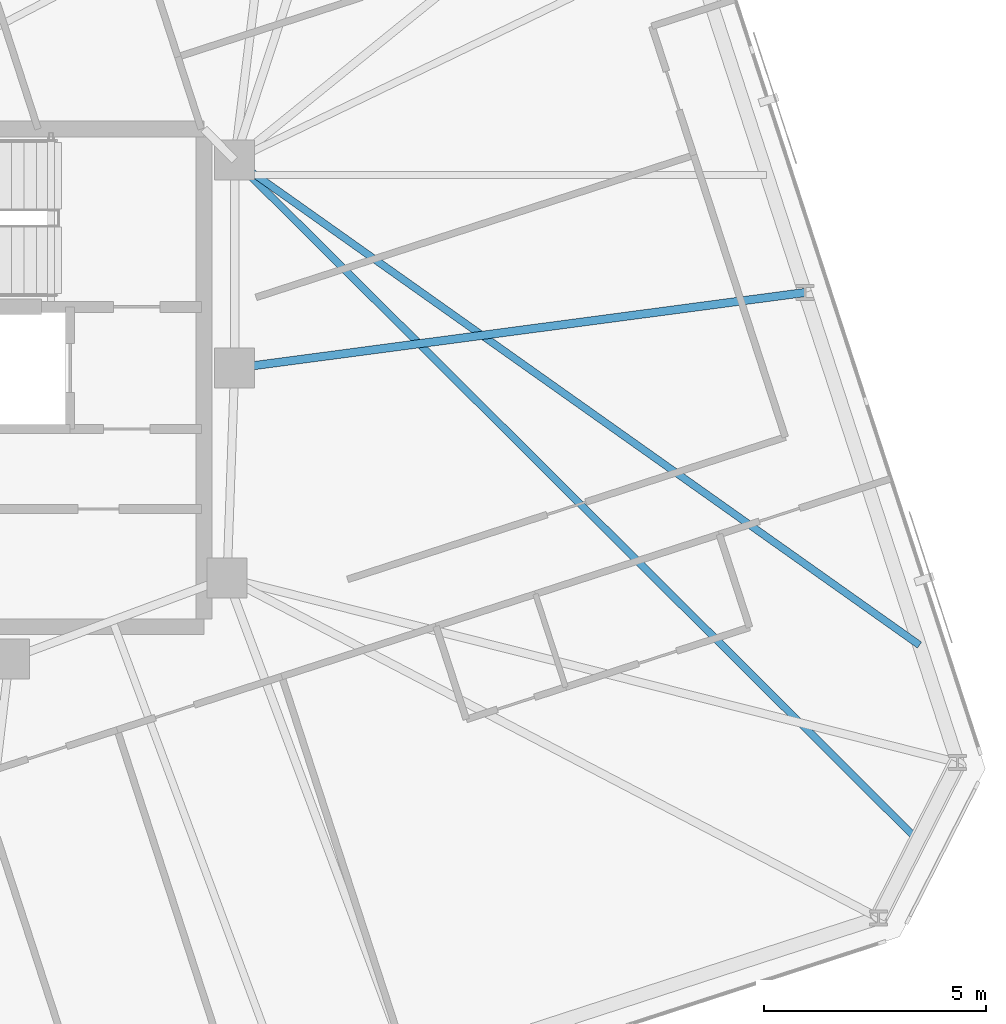
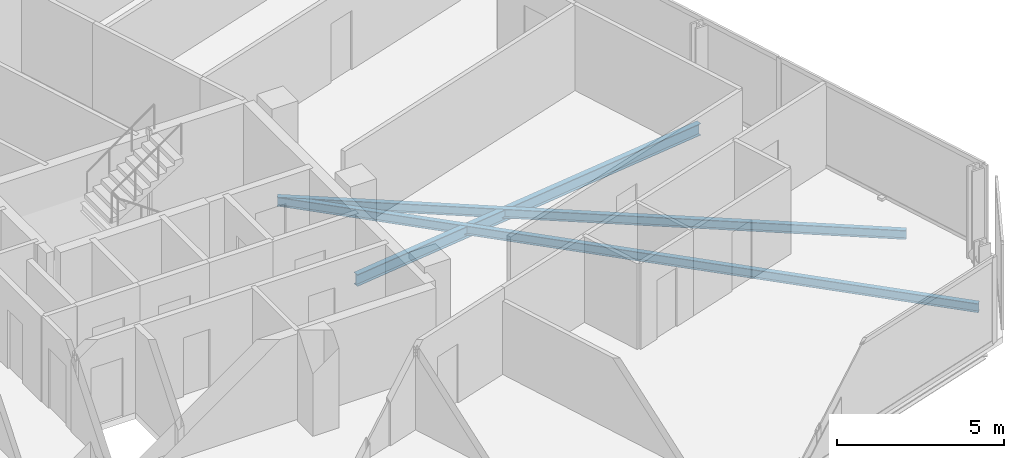
# One storey, part 8 of 19: 3 beams.
"""IFC4 building model written with IfcOpenShell, lengths in metres."""

import ifcopenshell
import ifcopenshell.guid

model = None  # the IFC model being written
_history = None  # IfcOwnerHistory: only IFC2X3 demands one
_inside = {}  # id of a spatial element -> (the spatial element, [elements in it])
_under = {}  # id of a project, library or spatial element -> (it, [spatial elements below it])
_declared = {}  # id of a project -> (the project, [libraries it declares])
_typed = {}  # id of a type object -> (the type object, [elements of that type])
_made_of = {}  # id of a material, layer set ... -> (it, [elements and type objects made of it])


def new_model(schema):
    """Start an empty IFC model of exactly this schema.

    Asked for "IFC4X3", IfcOpenShell would pick the latest addendum, in which some entities
    have other attributes; the version numbers below select the first issue.
    IFC2X3 requires an IfcOwnerHistory on every rooted entity: one is made here for all.
    """
    global model, _history
    if schema == "IFC4X3":
        model = ifcopenshell.file(schema_version=(4, 3, 0, 0))
    else:
        model = ifcopenshell.file(schema=schema)
    _inside.clear()
    _under.clear()
    _declared.clear()
    _typed.clear()
    _made_of.clear()
    _history = None
    if model.schema == "IFC2X3":
        org = make("IfcOrganization", Name="unknown")
        user = make(
            "IfcPersonAndOrganization",
            ThePerson=make("IfcPerson", FamilyName="unknown"),
            TheOrganization=org,
        )
        app = make(
            "IfcApplication",
            ApplicationDeveloper=org,
            Version="unknown",
            ApplicationFullName="unknown",
            ApplicationIdentifier="unknown",
        )
        _history = make(
            "IfcOwnerHistory",
            OwningUser=user,
            OwningApplication=app,
            ChangeAction="ADDED",
            CreationDate=0,
        )
    return model


def make(cls, **values):
    """One entity of the class cls with the attributes given. An attribute that is None is left unset."""
    return model.create_entity(
        cls, **{name: value for name, value in values.items() if value is not None}
    )


def rooted(cls, **values):
    """An entity with a GlobalId (a new one), such as an element, a storey or a relation."""
    return make(cls, GlobalId=ifcopenshell.guid.new(), OwnerHistory=_history, **values)


def si_unit(unit_type, name, prefix=None):
    """IfcSIUnit, for example si_unit("LENGTHUNIT", "METRE", prefix="MILLI")."""
    return make("IfcSIUnit", UnitType=unit_type, Prefix=prefix, Name=name)


def assignment(units):
    """IfcUnitAssignment: the units of a project."""
    return None if units is None else make("IfcUnitAssignment", Units=units)


def point(xyz):
    """IfcCartesianPoint."""
    return None if xyz is None else make("IfcCartesianPoint", Coordinates=xyz)


def direction(xyz):
    """IfcDirection."""
    return None if xyz is None else make("IfcDirection", DirectionRatios=xyz)


def frame(location, z_axis=None, x_axis=None):
    """IfcAxis2Placement3D, a coordinate frame: its origin and axes. An axis left out is left unset."""
    return make(
        "IfcAxis2Placement3D",
        Location=point(location),
        Axis=direction(z_axis),
        RefDirection=direction(x_axis),
    )


def frame_2d(location, x_axis=None):
    """IfcAxis2Placement2D, a coordinate frame in the plane: its origin and x axis."""
    return make(
        "IfcAxis2Placement2D", Location=point(location), RefDirection=direction(x_axis)
    )


def origin():
    """The frame at (0, 0, 0) with its axes left unset."""
    return frame((0.0, 0.0, 0.0))


def origin_2d():
    """The frame at (0, 0) in the plane with its x axis left unset."""
    return frame_2d((0.0, 0.0))


def place(relative_to, where):
    """IfcLocalPlacement: puts the frame where relative to a parent placement (None: the world)."""
    return make(
        "IfcLocalPlacement", PlacementRelTo=relative_to, RelativePlacement=where
    )


def context(
    kind, dimensions, precision=None, world=None, true_north=None, identifier=None
):
    """IfcGeometricRepresentationContext, for example the 3D "Model" context."""
    return make(
        "IfcGeometricRepresentationContext",
        ContextIdentifier=identifier,
        ContextType=kind,
        CoordinateSpaceDimension=dimensions,
        Precision=precision,
        WorldCoordinateSystem=world,
        TrueNorth=true_north,
    )


def subcontext(parent, identifier, kind, view, scale=None):
    """IfcGeometricRepresentationSubContext, for example "Body" below "Model"."""
    return make(
        "IfcGeometricRepresentationSubContext",
        ContextIdentifier=identifier,
        ContextType=kind,
        ParentContext=parent,
        TargetScale=scale,
        TargetView=view,
    )


def project(units=None, contexts=None):
    """IfcProject with its units and contexts."""
    return rooted(
        "IfcProject",
        Name="project",
        RepresentationContexts=contexts,
        UnitsInContext=assignment(units),
    )


def spatial(cls, under=None, at=None, **own):
    """A site, building, storey or space (cls), placed at a placement, below another one or the project."""
    s = rooted(cls, ObjectPlacement=at, **own)
    if under is not None:
        _under.setdefault(under.id(), (under, []))[1].append(s)
    return s


def profile(cls, at=None, kind="AREA", **sizes):
    """A parametric profile (cls). Its sizes go by their IFC names, for example OverallWidth=200.0."""
    return make(cls, ProfileType=kind, Position=at, **sizes)


def i_section(**sizes):
    """IfcIShapeProfileDef."""
    return profile("IfcIShapeProfileDef", **sizes)


def extrude(swept, where, along, depth):
    """IfcExtrudedAreaSolid: the profile swept, set in the frame where, extruded along a direction by depth."""
    return make(
        "IfcExtrudedAreaSolid",
        SweptArea=swept,
        Position=where,
        ExtrudedDirection=direction(along),
        Depth=depth,
    )


def shape(context_of_items, identifier, shape_type, items):
    """IfcShapeRepresentation: the items that make up one representation, for example the "Body"."""
    return make(
        "IfcShapeRepresentation",
        ContextOfItems=context_of_items,
        RepresentationIdentifier=identifier,
        RepresentationType=shape_type,
        Items=items,
    )


def material(Name=None, Category=None):
    """IfcMaterial."""
    return make("IfcMaterial", Name=Name, Category=Category)


def material_profile(
    of_material, cross_section, Name=None, Category=None, Priority=None
):
    """IfcMaterialProfile: a cross section and its material."""
    return make(
        "IfcMaterialProfile",
        Name=Name,
        Material=of_material,
        Profile=cross_section,
        Priority=Priority,
        Category=Category,
    )


def profile_set(profiles, Name=None, composite=None):
    """IfcMaterialProfileSet."""
    return make(
        "IfcMaterialProfileSet",
        Name=Name,
        MaterialProfiles=profiles,
        CompositeProfile=composite,
    )


def made_of(thing, what):
    """Note that an element or type object is made of a material, layer set ...; save() writes the relation."""
    if what is not None:
        _made_of.setdefault(what.id(), (what, []))[1].append(thing)
    return thing


def type_object(cls, material=None, **own):
    """A type object (cls), such as IfcWallType, which elements share."""
    return made_of(rooted(cls, **own), material)


def element(
    cls,
    number,
    at=None,
    inside=None,
    cuts=None,
    type_object=None,
    material=None,
    context=None,
    identifier="Body",
    shape_type=None,
    held_by="IfcProductDefinitionShape",
    body=None,
    shapes=None,
    **own,
):
    """One element of the class cls, such as IfcWall. Its Tag is "e" and its number.

    at: its placement. inside: the storey or other place that contains it. cuts: it is an
    opening in that element (IfcRelVoidsElement). A single representation is given by context,
    identifier, shape_type and body (its items); several are given by shapes. held_by: the class
    of the entity that holds the representations. save() writes the other relations.
    """
    e = rooted(cls, Tag="e%d" % number, ObjectPlacement=at, **own)
    if body is not None:
        shapes = [shape(context, identifier, shape_type, body)]
    if shapes is not None:
        e.Representation = make(held_by, Representations=shapes)
    if inside is not None:
        _inside.setdefault(inside.id(), (inside, []))[1].append(e)
    if cuts is not None:
        rooted(
            "IfcRelVoidsElement", RelatingBuildingElement=cuts, RelatedOpeningElement=e
        )
    if type_object is not None:
        _typed.setdefault(type_object.id(), (type_object, []))[1].append(e)
    return made_of(e, material)


def aggregate(whole, parts):
    """IfcRelAggregates: a whole, such as a stair, and the parts it consists of."""
    return rooted("IfcRelAggregates", RelatingObject=whole, RelatedObjects=parts)


def save(model, path):
    """Write the relations noted so far, then the file.

    IfcRelAggregates (storeys below a building ...), IfcRelContainedInSpatialStructure (elements
    in a storey), IfcRelDefinesByType, IfcRelAssociatesMaterial and IfcRelDeclares: one each for
    every whole, place, type object, material and project.
    """
    for whole, parts in _under.values():
        aggregate(whole, parts)
    for where, things in _inside.values():
        rooted(
            "IfcRelContainedInSpatialStructure",
            RelatedElements=things,
            RelatingStructure=where,
        )
    for kind, things in _typed.values():
        rooted("IfcRelDefinesByType", RelatedObjects=things, RelatingType=kind)
    for what, things in _made_of.values():
        rooted("IfcRelAssociatesMaterial", RelatedObjects=things, RelatingMaterial=what)
    for by, libraries in _declared.values():
        rooted("IfcRelDeclares", RelatingContext=by, RelatedDefinitions=libraries)
    model.write(path)


model = new_model("IFC4")

# Units and contexts
model_context = context("Model", 3, precision=1e-05, world=origin(), true_north=direction((0.0, 1.0)))
body_context = subcontext(model_context, "Body", "Model", "MODEL_VIEW")
ifc_project = project(units=[si_unit("LENGTHUNIT", "METRE"), si_unit("AREAUNIT", "SQUARE_METRE"), si_unit("VOLUMEUNIT", "CUBIC_METRE"), si_unit("PLANEANGLEUNIT", "RADIAN"), si_unit("MASSUNIT", "GRAM", prefix="KILO")], contexts=[model_context])

# Site, building, storey
site_placement = place(None, origin())
site = spatial("IfcSite", under=ifc_project, at=site_placement, CompositionType="ELEMENT")
building_placement = place(site_placement, origin())
building = spatial("IfcBuilding", under=site, at=building_placement, Name="Menara Jurai Vektor", CompositionType="ELEMENT")
storey_placement = place(building_placement, frame((0.0, 0.0, 214.25)))
storey = spatial("IfcBuildingStorey", under=building, at=storey_placement, Name="L56", CompositionType="ELEMENT", Elevation=214.25)

# Beams
ifc_material = material(Name="Steel S355", Category="steel")
ifc_material_profile_1 = material_profile(ifc_material, i_section(OverallWidth=0.18505859375, OverallDepth=0.429931640625, WebThickness=0.010986328125, FlangeThickness=0.01806640625, at=origin_2d()), Name="PG 430x185x76")
ifc_profile_set_1 = profile_set([ifc_material_profile_1], Name="Steel S355")
beam_type_1 = type_object("IfcBeamType", Name="STR-BM-430", PredefinedType="BEAM", material=ifc_profile_set_1)
beam_1_placement = place(storey_placement, frame((28.07763671875, 1.92236328125, -0.43994140625), z_axis=(-0.99130829243, -0.131559375797, 0.0), x_axis=(0.131559375797, -0.99130829243, 0.0)))
element("IfcBeam", 1, at=beam_1_placement, inside=storey, type_object=beam_type_1, Name="Radial Floor Girder L56-E2", PredefinedType="BEAM", context=body_context, shape_type="SweptSolid", body=[
    extrude(i_section(OverallWidth=0.18505859375, OverallDepth=0.429931640625, WebThickness=0.010986328125, FlangeThickness=0.01806640625, at=origin_2d()), origin(), (0.0, 0.0, 1.0), 12.940185546875),
])
ifc_material_profile_2 = material_profile(ifc_material, i_section(OverallWidth=0.1650390625, OverallDepth=0.330078125, WebThickness=0.009033203125, FlangeThickness=0.013916015625, at=origin_2d()), Name="PG 330x165x46")
ifc_profile_set_2 = profile_set([ifc_material_profile_2], Name="Steel S355")
beam_type_2 = type_object("IfcBeamType", Name="STR-JS-330", PredefinedType="JOIST", material=ifc_profile_set_2)
beam_2_placement = place(storey_placement, frame((30.62353515625, -10.398681640625, -0.389892578125), z_axis=(-0.70883256901, 0.705376771032, 0.0), x_axis=(-0.705376771032, -0.70883256901, 0.0)))
element("IfcBeam", 2, at=beam_2_placement, inside=storey, type_object=beam_type_2, Name="Radial Secondary Floor Joist L56-JS09", PredefinedType="JOIST", context=body_context, shape_type="SweptSolid", body=[
    extrude(i_section(OverallWidth=0.1650390625, OverallDepth=0.330078125, WebThickness=0.009033203125, FlangeThickness=0.013916015625, at=origin_2d()), origin(), (0.0, 0.0, 1.0), 21.6884765625),
])
beam_3_placement = place(storey_placement, frame((30.654296875, -6.00830078125, -0.389892578125), z_axis=(-0.816103783972, 0.577905367501, 0.0), x_axis=(-0.577905367501, -0.816103783972, 0.0)))
element("IfcBeam", 3, at=beam_3_placement, inside=storey, type_object=beam_type_2, Name="Radial Secondary Floor Joist L56-JS10", PredefinedType="JOIST", context=body_context, shape_type="SweptSolid", body=[
    extrude(i_section(OverallWidth=0.1650390625, OverallDepth=0.330078125, WebThickness=0.009033203125, FlangeThickness=0.013916015625, at=origin_2d()), origin(), (0.0, 0.0, 1.0), 18.87548828125),
])

save(model, "model.ifc")
